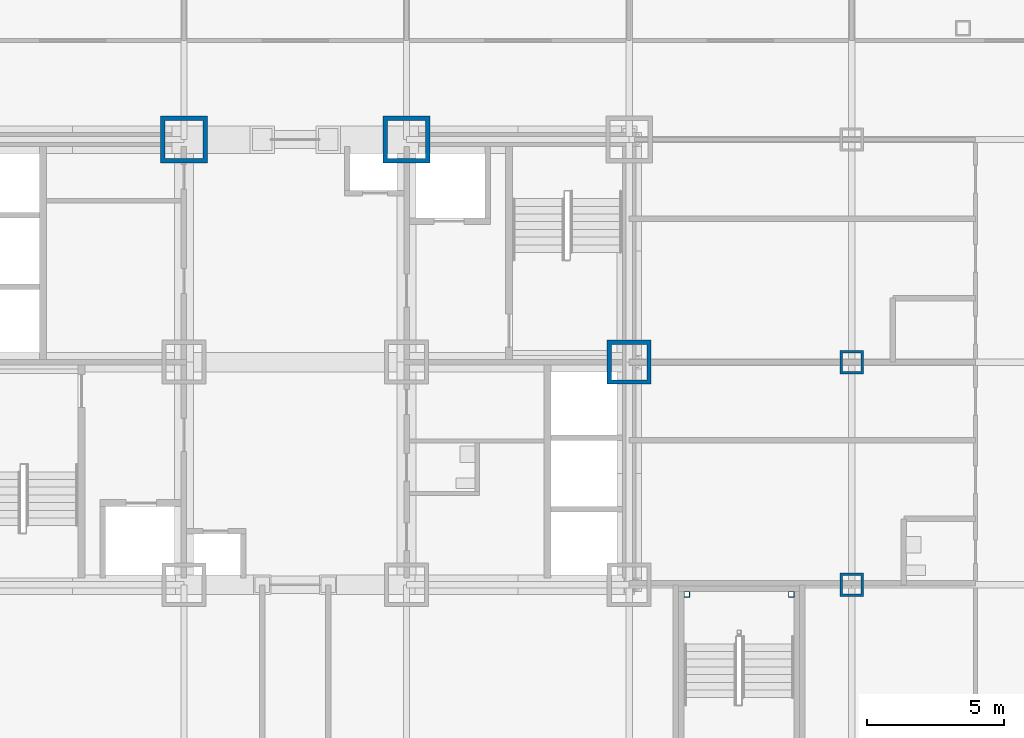
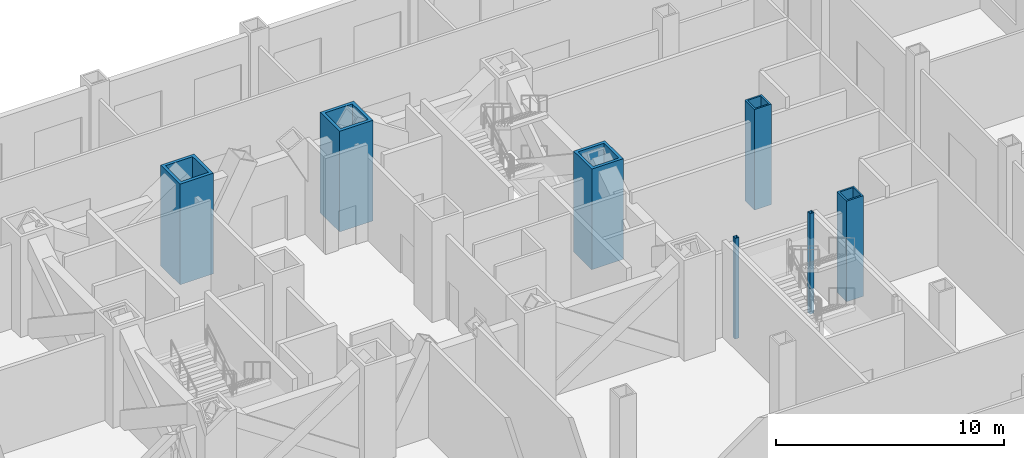
# One storey, part 7 of 29: 7 columns.
"""IFC4 building model written with IfcOpenShell, lengths in metres."""

from ifc_helpers import new_model, si_unit, direction, frame, origin, origin_2d, place, context, subcontext, project, spatial, hollow_rectangle, extrude, material, material_profile, profile_set, type_object, element, save


model = new_model("IFC4")

# Units and contexts
model_context = context("Model", 3, precision=1e-05, world=origin(), true_north=direction((0.0, 1.0)))
body_context = subcontext(model_context, "Body", "Model", "MODEL_VIEW")
ifc_project = project(units=[si_unit("LENGTHUNIT", "METRE"), si_unit("AREAUNIT", "SQUARE_METRE"), si_unit("VOLUMEUNIT", "CUBIC_METRE"), si_unit("PLANEANGLEUNIT", "RADIAN"), si_unit("MASSUNIT", "GRAM", prefix="KILO")], contexts=[model_context])

# Site, building, storey
site_placement = place(None, origin())
site = spatial("IfcSite", under=ifc_project, at=site_placement, CompositionType="ELEMENT")
building_placement = place(site_placement, origin())
building = spatial("IfcBuilding", under=site, at=building_placement, Name="Kopane Lantern Tower", CompositionType="ELEMENT")
storey_placement = place(building_placement, frame((0.0, 0.0, 11.39990234375)))
storey = spatial("IfcBuildingStorey", under=building, at=storey_placement, Name="L02", CompositionType="ELEMENT", Elevation=11.39990234375)

# Columns
ifc_material_1 = material(Name="Steel S355JR", Category="steel")
ifc_material_profile_1 = material_profile(ifc_material_1, hollow_rectangle(XDim=1.60009765625, YDim=1.60009765625, WallThickness=0.14990234375, at=origin_2d()), Name="BOX 1600x1600x150")
ifc_profile_set_1 = profile_set([ifc_material_profile_1], Name="Steel S355JR")
column_type_1 = type_object("IfcColumnType", Name="COLUMN BOX 1600x1600x150", PredefinedType="COLUMN", material=ifc_profile_set_1)
column_placement = place(storey_placement, frame((40.5, 32.39990234375, 0.0), z_axis=(0.0, 0.0, 1.0), x_axis=(1.0, 0.0, 0.0)))
element("IfcColumn", 1, at=column_placement, inside=storey, type_object=column_type_1, Name="Column 7/F L02", PredefinedType="COLUMN", context=body_context, shape_type="SweptSolid", body=[
    extrude(hollow_rectangle(XDim=1.60009765625, YDim=1.60009765625, WallThickness=0.14990234375, at=origin_2d()), origin(), (0.0, 0.0, 1.0), 5.400146484375),
])
ifc_material_2 = material(Name="Steel S355JR", Category="steel")
ifc_material_profile_2 = material_profile(ifc_material_2, hollow_rectangle(XDim=1.699951171875, YDim=1.699951171875, WallThickness=0.159912109375, at=origin_2d()), Name="BOX 1700x1700x160")
ifc_profile_set_2 = profile_set([ifc_material_profile_2], Name="Steel S355JR")
column_type_2 = type_object("IfcColumnType", Name="COLUMN BOX 1700x1700x160", PredefinedType="COLUMN", material=ifc_profile_set_2)
for number, where, z_axis, x_axis, name in (
    (2, (24.300048828125, 40.5, 0.0), (0.0, 0.0, 1.0), (1.0, 0.0, 0.0), "Column 5/G L02"),
    (3, (32.39990234375, 40.5, 0.0), (0.0, 0.0, 1.0), (1.0, 0.0, 0.0), "Column 6/G L02"),
):
    element("IfcColumn", number, at=place(storey_placement, frame(where, z_axis=z_axis, x_axis=x_axis)), inside=storey, type_object=column_type_2, Name=name, PredefinedType="COLUMN", context=body_context, shape_type="SweptSolid", body=[
        extrude(hollow_rectangle(XDim=1.699951171875, YDim=1.699951171875, WallThickness=0.159912109375, at=origin_2d()), origin(), (0.0, 0.0, 1.0), 5.400146484375),
    ])
ifc_material_3 = material(Name="Steel S355JR", Category="steel")
ifc_material_profile_3 = material_profile(ifc_material_3, hollow_rectangle(XDim=0.85009765625, YDim=0.85009765625, WallThickness=0.0849609375, at=origin_2d()), Name="BOX 850x850x85")
ifc_profile_set_3 = profile_set([ifc_material_profile_3], Name="Steel S355JR")
column_type_3 = type_object("IfcColumnType", Name="COLUMN BOX 850x850x85", PredefinedType="COLUMN", material=ifc_profile_set_3)
for number, where, z_axis, x_axis, name in (
    (4, (48.60009765625, 24.300048828125, 0.0), (0.0, 0.0, 1.0), (1.0, 0.0, 0.0), "Column 8/E L02"),
    (5, (48.60009765625, 32.39990234375, 0.0), (0.0, 0.0, 1.0), (1.0, 0.0, 0.0), "Column 8/F L02"),
):
    element("IfcColumn", number, at=place(storey_placement, frame(where, z_axis=z_axis, x_axis=x_axis)), inside=storey, type_object=column_type_3, Name=name, PredefinedType="COLUMN", context=body_context, shape_type="SweptSolid", body=[
        extrude(hollow_rectangle(XDim=0.85009765625, YDim=0.85009765625, WallThickness=0.0849609375, at=origin_2d()), origin(), (0.0, 0.0, 1.0), 5.400146484375),
    ])
ifc_material_4 = material(Name="Steel S355JR", Category="steel")
ifc_material_profile_4 = material_profile(ifc_material_4, hollow_rectangle(XDim=0.199951171875, YDim=0.199951171875, WallThickness=0.011962890625, at=origin_2d()), Name="BOX 200x200x12")
ifc_profile_set_4 = profile_set([ifc_material_profile_4], Name="Steel S355JR")
column_type_4 = type_object("IfcColumnType", Name="STAIR POST BOX 200x200x12", PredefinedType="COLUMN", material=ifc_profile_set_4)
for number, where, z_axis, x_axis, name in (
    (6, (42.60009765625, 23.949951171875, 0.0), (0.0, 0.0, 1.0), (1.0, 0.0, 0.0), "Stair post ST4 NW L02"),
    (7, (46.39990234375, 23.949951171875, 0.0), (0.0, 0.0, 1.0), (1.0, 0.0, 0.0), "Stair post ST4 NE L02"),
):
    element("IfcColumn", number, at=place(storey_placement, frame(where, z_axis=z_axis, x_axis=x_axis)), inside=storey, type_object=column_type_4, Name=name, PredefinedType="COLUMN", context=body_context, shape_type="SweptSolid", body=[
        extrude(hollow_rectangle(XDim=0.199951171875, YDim=0.199951171875, WallThickness=0.011962890625, at=origin_2d()), origin(), (0.0, 0.0, 1.0), 5.400146484375),
    ])

save(model, "model.ifc")
